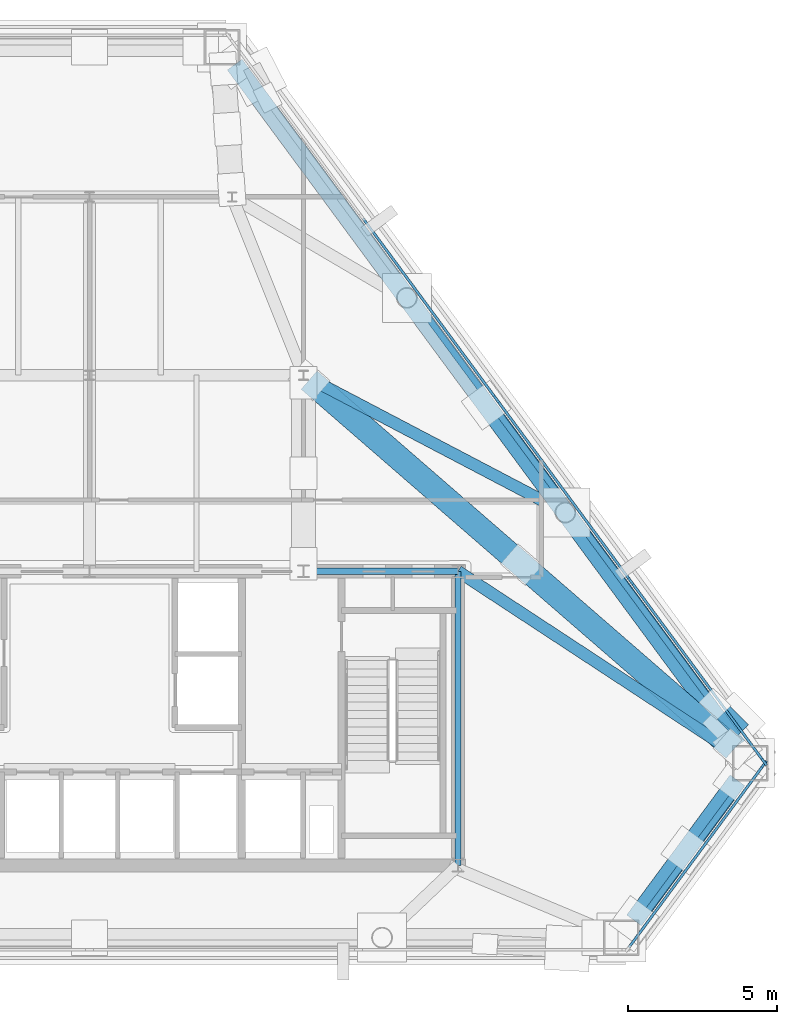
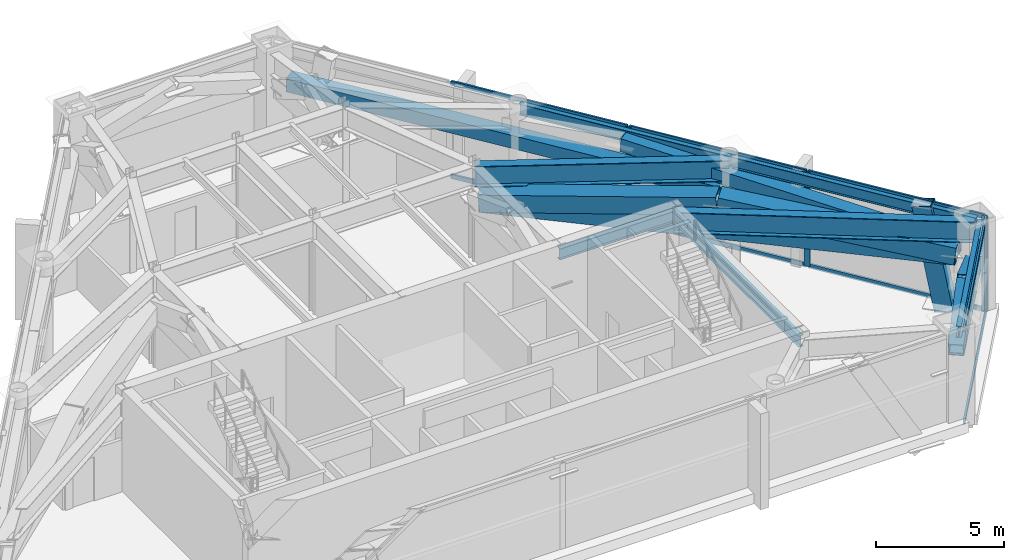
# One storey, part 4 of 10: 21 members, 7 beams, 2 elements without a shape of their own.
"""IFC4 building model written with IfcOpenShell, lengths in metres."""

import ifcopenshell
import ifcopenshell.guid

model = None  # the IFC model being written
_history = None  # IfcOwnerHistory: only IFC2X3 demands one
_inside = {}  # id of a spatial element -> (the spatial element, [elements in it])
_under = {}  # id of a project, library or spatial element -> (it, [spatial elements below it])
_declared = {}  # id of a project -> (the project, [libraries it declares])
_typed = {}  # id of a type object -> (the type object, [elements of that type])
_made_of = {}  # id of a material, layer set ... -> (it, [elements and type objects made of it])


def new_model(schema):
    """Start an empty IFC model of exactly this schema.

    Asked for "IFC4X3", IfcOpenShell would pick the latest addendum, in which some entities
    have other attributes; the version numbers below select the first issue.
    IFC2X3 requires an IfcOwnerHistory on every rooted entity: one is made here for all.
    """
    global model, _history
    if schema == "IFC4X3":
        model = ifcopenshell.file(schema_version=(4, 3, 0, 0))
    else:
        model = ifcopenshell.file(schema=schema)
    _inside.clear()
    _under.clear()
    _declared.clear()
    _typed.clear()
    _made_of.clear()
    _history = None
    if model.schema == "IFC2X3":
        org = make("IfcOrganization", Name="unknown")
        user = make(
            "IfcPersonAndOrganization",
            ThePerson=make("IfcPerson", FamilyName="unknown"),
            TheOrganization=org,
        )
        app = make(
            "IfcApplication",
            ApplicationDeveloper=org,
            Version="unknown",
            ApplicationFullName="unknown",
            ApplicationIdentifier="unknown",
        )
        _history = make(
            "IfcOwnerHistory",
            OwningUser=user,
            OwningApplication=app,
            ChangeAction="ADDED",
            CreationDate=0,
        )
    return model


def make(cls, **values):
    """One entity of the class cls with the attributes given. An attribute that is None is left unset."""
    return model.create_entity(
        cls, **{name: value for name, value in values.items() if value is not None}
    )


def rooted(cls, **values):
    """An entity with a GlobalId (a new one), such as an element, a storey or a relation."""
    return make(cls, GlobalId=ifcopenshell.guid.new(), OwnerHistory=_history, **values)


def si_unit(unit_type, name, prefix=None):
    """IfcSIUnit, for example si_unit("LENGTHUNIT", "METRE", prefix="MILLI")."""
    return make("IfcSIUnit", UnitType=unit_type, Prefix=prefix, Name=name)


def assignment(units):
    """IfcUnitAssignment: the units of a project."""
    return None if units is None else make("IfcUnitAssignment", Units=units)


def point(xyz):
    """IfcCartesianPoint."""
    return None if xyz is None else make("IfcCartesianPoint", Coordinates=xyz)


def direction(xyz):
    """IfcDirection."""
    return None if xyz is None else make("IfcDirection", DirectionRatios=xyz)


def frame(location, z_axis=None, x_axis=None):
    """IfcAxis2Placement3D, a coordinate frame: its origin and axes. An axis left out is left unset."""
    return make(
        "IfcAxis2Placement3D",
        Location=point(location),
        Axis=direction(z_axis),
        RefDirection=direction(x_axis),
    )


def frame_2d(location, x_axis=None):
    """IfcAxis2Placement2D, a coordinate frame in the plane: its origin and x axis."""
    return make(
        "IfcAxis2Placement2D", Location=point(location), RefDirection=direction(x_axis)
    )


def origin():
    """The frame at (0, 0, 0) with its axes left unset."""
    return frame((0.0, 0.0, 0.0))


def origin_2d():
    """The frame at (0, 0) in the plane with its x axis left unset."""
    return frame_2d((0.0, 0.0))


def place(relative_to, where):
    """IfcLocalPlacement: puts the frame where relative to a parent placement (None: the world)."""
    return make(
        "IfcLocalPlacement", PlacementRelTo=relative_to, RelativePlacement=where
    )


def context(
    kind, dimensions, precision=None, world=None, true_north=None, identifier=None
):
    """IfcGeometricRepresentationContext, for example the 3D "Model" context."""
    return make(
        "IfcGeometricRepresentationContext",
        ContextIdentifier=identifier,
        ContextType=kind,
        CoordinateSpaceDimension=dimensions,
        Precision=precision,
        WorldCoordinateSystem=world,
        TrueNorth=true_north,
    )


def subcontext(parent, identifier, kind, view, scale=None):
    """IfcGeometricRepresentationSubContext, for example "Body" below "Model"."""
    return make(
        "IfcGeometricRepresentationSubContext",
        ContextIdentifier=identifier,
        ContextType=kind,
        ParentContext=parent,
        TargetScale=scale,
        TargetView=view,
    )


def project(units=None, contexts=None):
    """IfcProject with its units and contexts."""
    return rooted(
        "IfcProject",
        Name="project",
        RepresentationContexts=contexts,
        UnitsInContext=assignment(units),
    )


def spatial(cls, under=None, at=None, **own):
    """A site, building, storey or space (cls), placed at a placement, below another one or the project."""
    s = rooted(cls, ObjectPlacement=at, **own)
    if under is not None:
        _under.setdefault(under.id(), (under, []))[1].append(s)
    return s


def profile(cls, at=None, kind="AREA", **sizes):
    """A parametric profile (cls). Its sizes go by their IFC names, for example OverallWidth=200.0."""
    return make(cls, ProfileType=kind, Position=at, **sizes)


def rectangle(**sizes):
    """IfcRectangleProfileDef."""
    return profile("IfcRectangleProfileDef", **sizes)


def hollow_rectangle(**sizes):
    """IfcRectangleHollowProfileDef."""
    return profile("IfcRectangleHollowProfileDef", **sizes)


def i_section(**sizes):
    """IfcIShapeProfileDef."""
    return profile("IfcIShapeProfileDef", **sizes)


def extrude(swept, where, along, depth):
    """IfcExtrudedAreaSolid: the profile swept, set in the frame where, extruded along a direction by depth."""
    return make(
        "IfcExtrudedAreaSolid",
        SweptArea=swept,
        Position=where,
        ExtrudedDirection=direction(along),
        Depth=depth,
    )


def shape(context_of_items, identifier, shape_type, items):
    """IfcShapeRepresentation: the items that make up one representation, for example the "Body"."""
    return make(
        "IfcShapeRepresentation",
        ContextOfItems=context_of_items,
        RepresentationIdentifier=identifier,
        RepresentationType=shape_type,
        Items=items,
    )


def material(Name=None, Category=None):
    """IfcMaterial."""
    return make("IfcMaterial", Name=Name, Category=Category)


def layer(
    of_material, thickness, ventilated=None, Name=None, Category=None, Priority=None
):
    """IfcMaterialLayer: one layer of a wall or slab, of a material (None: an air gap)."""
    return make(
        "IfcMaterialLayer",
        Material=of_material,
        LayerThickness=thickness,
        IsVentilated=ventilated,
        Name=Name,
        Category=Category,
        Priority=Priority,
    )


def layer_set(layers, Name=None):
    """IfcMaterialLayerSet."""
    return make("IfcMaterialLayerSet", MaterialLayers=layers, LayerSetName=Name)


def material_profile(
    of_material, cross_section, Name=None, Category=None, Priority=None
):
    """IfcMaterialProfile: a cross section and its material."""
    return make(
        "IfcMaterialProfile",
        Name=Name,
        Material=of_material,
        Profile=cross_section,
        Priority=Priority,
        Category=Category,
    )


def profile_set(profiles, Name=None, composite=None):
    """IfcMaterialProfileSet."""
    return make(
        "IfcMaterialProfileSet",
        Name=Name,
        MaterialProfiles=profiles,
        CompositeProfile=composite,
    )


def made_of(thing, what):
    """Note that an element or type object is made of a material, layer set ...; save() writes the relation."""
    if what is not None:
        _made_of.setdefault(what.id(), (what, []))[1].append(thing)
    return thing


def type_object(cls, material=None, **own):
    """A type object (cls), such as IfcWallType, which elements share."""
    return made_of(rooted(cls, **own), material)


def element(
    cls,
    number,
    at=None,
    inside=None,
    cuts=None,
    type_object=None,
    material=None,
    context=None,
    identifier="Body",
    shape_type=None,
    held_by="IfcProductDefinitionShape",
    body=None,
    shapes=None,
    **own,
):
    """One element of the class cls, such as IfcWall. Its Tag is "e" and its number.

    at: its placement. inside: the storey or other place that contains it. cuts: it is an
    opening in that element (IfcRelVoidsElement). A single representation is given by context,
    identifier, shape_type and body (its items); several are given by shapes. held_by: the class
    of the entity that holds the representations. save() writes the other relations.
    """
    e = rooted(cls, Tag="e%d" % number, ObjectPlacement=at, **own)
    if body is not None:
        shapes = [shape(context, identifier, shape_type, body)]
    if shapes is not None:
        e.Representation = make(held_by, Representations=shapes)
    if inside is not None:
        _inside.setdefault(inside.id(), (inside, []))[1].append(e)
    if cuts is not None:
        rooted(
            "IfcRelVoidsElement", RelatingBuildingElement=cuts, RelatedOpeningElement=e
        )
    if type_object is not None:
        _typed.setdefault(type_object.id(), (type_object, []))[1].append(e)
    return made_of(e, material)


def aggregate(whole, parts):
    """IfcRelAggregates: a whole, such as a stair, and the parts it consists of."""
    return rooted("IfcRelAggregates", RelatingObject=whole, RelatedObjects=parts)


def save(model, path):
    """Write the relations noted so far, then the file.

    IfcRelAggregates (storeys below a building ...), IfcRelContainedInSpatialStructure (elements
    in a storey), IfcRelDefinesByType, IfcRelAssociatesMaterial and IfcRelDeclares: one each for
    every whole, place, type object, material and project.
    """
    for whole, parts in _under.values():
        aggregate(whole, parts)
    for where, things in _inside.values():
        rooted(
            "IfcRelContainedInSpatialStructure",
            RelatedElements=things,
            RelatingStructure=where,
        )
    for kind, things in _typed.values():
        rooted("IfcRelDefinesByType", RelatedObjects=things, RelatingType=kind)
    for what, things in _made_of.values():
        rooted("IfcRelAssociatesMaterial", RelatedObjects=things, RelatingMaterial=what)
    for by, libraries in _declared.values():
        rooted("IfcRelDeclares", RelatingContext=by, RelatedDefinitions=libraries)
    model.write(path)


model = new_model("IFC4")

# Units and contexts
model_context = context("Model", 3, precision=1e-05, world=origin(), true_north=direction((0.0, 1.0)))
body_context = subcontext(model_context, "Body", "Model", "MODEL_VIEW")
ifc_project = project(units=[si_unit("LENGTHUNIT", "METRE"), si_unit("AREAUNIT", "SQUARE_METRE"), si_unit("VOLUMEUNIT", "CUBIC_METRE"), si_unit("PLANEANGLEUNIT", "RADIAN"), si_unit("MASSUNIT", "GRAM", prefix="KILO")], contexts=[model_context])

# Site, building, storey
site_placement = place(None, origin())
site = spatial("IfcSite", under=ifc_project, at=site_placement, CompositionType="ELEMENT")
building_placement = place(site_placement, origin())
building = spatial("IfcBuilding", under=site, at=building_placement, Name="Talgorran Terracotta Tower", CompositionType="ELEMENT")
storey_placement = place(building_placement, frame((0.0, 0.0, 168.89990234375)))
storey = spatial("IfcBuildingStorey", under=building, at=storey_placement, Name="L44", CompositionType="ELEMENT", Elevation=168.89990234375)

# Beams
ifc_material_1 = material(Name="Steel Grade 350 (350L0)", Category="steel")
ifc_material_profile_1 = material_profile(ifc_material_1, i_section(OverallWidth=0.39990234375, OverallDepth=1.0, WebThickness=0.01611328125, FlangeThickness=0.031005859375, at=origin_2d()), Name="1000WB296")
ifc_profile_set_1 = profile_set([ifc_material_profile_1], Name="Steel Grade 350 (350L0)")
beam_type_1 = type_object("IfcBeamType", Name="BM_1000WB296", PredefinedType="BEAM", material=ifc_profile_set_1)
beam_1_placement = place(storey_placement, frame((7.199951171875, 2.39990234375, 4.02001953125), z_axis=(0.885527866822, -0.464586264414, 0.0), x_axis=(0.464586264414, 0.885527866822, 0.0)))
element("IfcBeam", 1, at=beam_1_placement, inside=storey, type_object=beam_type_1, Name="L44 Floor Girder G07", PredefinedType="BEAM", context=body_context, shape_type="SweptSolid", body=[
    extrude(i_section(OverallWidth=0.39990234375, OverallDepth=1.0, WebThickness=0.01611328125, FlangeThickness=0.031005859375, at=origin_2d()), origin(), (0.0, 0.0, 1.0), 9.951416015625),
])
beam_2_placement = place(storey_placement, frame((12.39990234375, -4.199951171875, 4.02001953125), z_axis=(0.836013696093, -0.548708574696, 0.0), x_axis=(0.548708574696, 0.836013696093, 0.0)))
element("IfcBeam", 2, at=beam_2_placement, inside=storey, type_object=beam_type_1, Name="L44 Floor Girder G18", PredefinedType="BEAM", context=body_context, shape_type="SweptSolid", body=[
    extrude(i_section(OverallWidth=0.39990234375, OverallDepth=1.0, WebThickness=0.01611328125, FlangeThickness=0.031005859375, at=origin_2d()), origin(), (0.0, 0.0, 1.0), 11.76318359375),
])
ifc_material_2 = material(Name="Steel S355 (300PLUS)", Category="steel")
ifc_material_profile_2 = material_profile(ifc_material_2, i_section(OverallWidth=0.209228515625, OverallDepth=0.532958984375, WebThickness=0.01025390625, FlangeThickness=0.015625, at=origin_2d()), Name="530UB92.4")
ifc_profile_set_2 = profile_set([ifc_material_profile_2], Name="Steel S355 (300PLUS)")
beam_type_2 = type_object("IfcBeamType", Name="BM_SP_530UB92", PredefinedType="SPANDREL", material=ifc_profile_set_2)
beam_3_placement = place(storey_placement, frame((18.043212890625, -16.636962890625, 4.253662109375), z_axis=(0.593765719161, 0.804637974961, 0.0), x_axis=(-0.804637974961, 0.593765719161, 0.0)))
element("IfcBeam", 3, at=beam_3_placement, inside=storey, type_object=beam_type_2, Name="L44 Perimeter Spandrel Beam MC3-MC4", PredefinedType="SPANDREL", context=body_context, shape_type="SweptSolid", body=[
    extrude(i_section(OverallWidth=0.209228515625, OverallDepth=0.532958984375, WebThickness=0.01025390625, FlangeThickness=0.015625, at=origin_2d()), origin(), (0.0, 0.0, 1.0), 7.302001953125),
])
beam_4_placement = place(storey_placement, frame((22.37890625, -10.547607421875, 4.253662109375), z_axis=(-0.593786218479, 0.804622847516, 0.0), x_axis=(-0.804622847516, -0.593786218479, 0.0)))
element("IfcBeam", 4, at=beam_4_placement, inside=storey, type_object=beam_type_2, Name="L44 Perimeter Spandrel Beam MC4-FC3", PredefinedType="SPANDREL", context=body_context, shape_type="SweptSolid", body=[
    extrude(i_section(OverallWidth=0.209228515625, OverallDepth=0.532958984375, WebThickness=0.01025390625, FlangeThickness=0.015625, at=origin_2d()), origin(), (0.0, 0.0, 1.0), 10.478271484375),
])
beam_5_placement = place(storey_placement, frame((16.156982421875, -2.116455078125, 4.253662109375), z_axis=(-0.593775624387, 0.804630665513, 0.0), x_axis=(-0.804630665513, -0.593775624387, 0.0)))
element("IfcBeam", 5, at=beam_5_placement, inside=storey, type_object=beam_type_2, Name="L44 Perimeter Spandrel Beam FC3-FC4", PredefinedType="SPANDREL", context=body_context, shape_type="SweptSolid", body=[
    extrude(i_section(OverallWidth=0.209228515625, OverallDepth=0.532958984375, WebThickness=0.01025390625, FlangeThickness=0.015625, at=origin_2d()), origin(), (0.0, 0.0, 1.0), 8.9814453125),
])
beam_6_placement = place(storey_placement, frame((12.39990234375, -14.10009765625, 4.253662109375), z_axis=(0.0, 1.0, 0.0), x_axis=(-1.0, 0.0, 0.0)))
element("IfcBeam", 6, at=beam_6_placement, inside=storey, type_object=beam_type_2, Name="L44 Core Frame Beam CFE", PredefinedType="SPANDREL", context=body_context, shape_type="SweptSolid", body=[
    extrude(i_section(OverallWidth=0.209228515625, OverallDepth=0.532958984375, WebThickness=0.01025390625, FlangeThickness=0.015625, at=origin_2d()), origin(), (0.0, 0.0, 1.0), 9.900146484375),
])
beam_7_placement = place(storey_placement, frame((7.199951171875, -4.199951171875, 4.253662109375), z_axis=(1.0, 0.0, 0.0), x_axis=(0.0, 1.0, 0.0)))
element("IfcBeam", 7, at=beam_7_placement, inside=storey, type_object=beam_type_2, Name="L44 Core Frame Beam CFN4", PredefinedType="SPANDREL", context=body_context, shape_type="SweptSolid", body=[
    extrude(i_section(OverallWidth=0.209228515625, OverallDepth=0.532958984375, WebThickness=0.01025390625, FlangeThickness=0.015625, at=origin_2d()), origin(), (0.0, 0.0, 1.0), 5.199951171875),
])

# Members
ifc_material_profile_3 = material_profile(ifc_material_1, hollow_rectangle(XDim=0.6201171875, YDim=0.6201171875, WallThickness=0.034912109375, at=origin_2d()), Name="WBOX620X620X35")
ifc_profile_set_3 = profile_set([ifc_material_profile_3], Name="Steel Grade 350 (350L0)")
member_type_1 = type_object("IfcMemberType", Name="MB_BELT_CHORD", PredefinedType="CHORD", material=ifc_profile_set_3)
member_1_placement = place(storey_placement, frame((18.32568359375, -15.95068359375, 2.920166015625), z_axis=(0.593798376425, 0.804613875195, 0.0), x_axis=(-0.804613875195, 0.593798376425, 0.0)))
element("IfcMember", 8, at=member_1_placement, inside=storey, type_object=member_type_1, Name="L44 Belt Truss Chord BT3", PredefinedType="CHORD", context=body_context, shape_type="SweptSolid", body=[
    extrude(hollow_rectangle(XDim=0.6201171875, YDim=0.6201171875, WallThickness=0.034912109375, at=origin_2d()), origin(), (0.0, 0.0, 1.0), 5.8623046875),
])
member_2_placement = place(storey_placement, frame((21.806640625, -10.0751953125, 2.920166015625), z_axis=(-0.593790632993, 0.804619589725, 0.0), x_axis=(-0.804619589725, -0.593790632993, 0.0)))
element("IfcMember", 9, at=member_2_placement, inside=storey, type_object=member_type_1, Name="L44 Belt Truss Chord BT4", PredefinedType="CHORD", context=body_context, shape_type="SweptSolid", body=[
    extrude(hollow_rectangle(XDim=0.6201171875, YDim=0.6201171875, WallThickness=0.034912109375, at=origin_2d()), origin(), (0.0, 0.0, 1.0), 28.49853515625),
])
ifc_material_profile_4 = material_profile(ifc_material_1, hollow_rectangle(XDim=0.6201171875, YDim=0.6201171875, WallThickness=0.034912109375, at=origin_2d()), Name="WBOX620X620X35")
ifc_profile_set_4 = profile_set([ifc_material_profile_4], Name="Steel Grade 350 (350L0)")
member_type_2 = type_object("IfcMemberType", Name="MB_BELT_DIAG", PredefinedType="BRACE", material=ifc_profile_set_4)
for number, where, z_axis, x_axis, name in (
    (10, (18.32568359375, -15.95068359375, 2.920166015625), (0.553421399322, 0.749901910148, 0.362452589905), (-0.804613875195, 0.593798376425, 0.0), "L44 Belt Truss Diagonal BT3-1"),
    (11, (20.066162109375, -13.59228515625, 4.06005859375), (0.553421399322, 0.749901910148, -0.362452589905), (-0.804613875195, 0.593798376425, 0.0), "L44 Belt Truss Diagonal BT3-2"),
):
    element("IfcMember", number, at=place(storey_placement, frame(where, z_axis=z_axis, x_axis=x_axis)), inside=storey, type_object=member_type_2, Name=name, PredefinedType="BRACE", context=body_context, shape_type="SweptSolid", body=[
        extrude(hollow_rectangle(XDim=0.6201171875, YDim=0.6201171875, WallThickness=0.034912109375, at=origin_2d()), origin(), (0.0, 0.0, 1.0), 3.14501953125),
    ])
member_3_placement = place(storey_placement, frame((21.806640625, -10.0751953125, 2.920166015625), z_axis=(-0.591898232911, 0.802058313589, 0.079742983883), x_axis=(-0.8046206622, -0.593789179728, 0.0)))
element("IfcMember", 12, at=member_3_placement, inside=storey, type_object=member_type_2, Name="L44 Belt Truss Diagonal BT4-1", PredefinedType="BRACE", context=body_context, shape_type="SweptSolid", body=[
    extrude(hollow_rectangle(XDim=0.6201171875, YDim=0.6201171875, WallThickness=0.034912109375, at=origin_2d()), origin(), (0.0, 0.0, 1.0), 14.294677734375),
])
ifc_material_profile_5 = material_profile(ifc_material_1, hollow_rectangle(XDim=0.6201171875, YDim=0.780029296875, WallThickness=0.0419921875, at=origin_2d()), Name="WBOX780X620X42")
ifc_profile_set_5 = profile_set([ifc_material_profile_5], Name="Steel Grade 350 (350L0)")
member_type_3 = type_object("IfcMemberType", Name="MB_MEGA_780", PredefinedType="BRACE", material=ifc_profile_set_5)
member_4_placement = place(storey_placement, frame((21.689208984375, -9.309814453125, -0.33984375), z_axis=(-0.129811026084, 0.128975754531, 0.983114618063), x_axis=(-0.704820821063, -0.709385374952, 0.0)))
element("IfcMember", 13, at=member_4_placement, inside=storey, type_object=member_type_3, Name="L44 Exterior Face Mega-Brace MB-2 (NEL)", PredefinedType="BRACE", context=body_context, shape_type="SweptSolid", body=[
    extrude(hollow_rectangle(XDim=0.6201171875, YDim=0.780029296875, WallThickness=0.0419921875, at=origin_2d()), origin(), (0.0, 0.0, 1.0), 4.968994140625),
])
ifc_material_profile_6 = material_profile(ifc_material_1, hollow_rectangle(XDim=0.820068359375, YDim=0.820068359375, WallThickness=0.044921875, at=origin_2d()), Name="WBOX820X820X45")
ifc_profile_set_6 = profile_set([ifc_material_profile_6], Name="Steel Grade 350 (350L0)")
member_type_4 = type_object("IfcMemberType", Name="MB_OUT_CHORD", PredefinedType="CHORD", material=ifc_profile_set_6)
member_5_placement = place(storey_placement, frame((7.388916015625, 2.236083984375, 2.920166015625), z_axis=(0.755060153862, -0.655655522397, 0.0), x_axis=(0.655655522397, 0.755060153862, 0.0)))
element("IfcMember", 14, at=member_5_placement, inside=storey, type_object=member_type_4, Name="L44 Outrigger Bottom Chord OR4", PredefinedType="CHORD", context=body_context, shape_type="SweptSolid", body=[
    extrude(hollow_rectangle(XDim=0.820068359375, YDim=0.820068359375, WallThickness=0.044921875, at=origin_2d()), origin(), (0.0, 0.0, 1.0), 18.94091796875),
])
ifc_material_profile_7 = material_profile(ifc_material_1, hollow_rectangle(XDim=0.820068359375, YDim=0.820068359375, WallThickness=0.044921875, at=origin_2d()), Name="WBOX820X820X45")
ifc_profile_set_7 = profile_set([ifc_material_profile_7], Name="Steel Grade 350 (350L0)")
member_type_5 = type_object("IfcMemberType", Name="MB_OUT_DIAG", PredefinedType="BRACE", material=ifc_profile_set_7)
member_6_placement = place(storey_placement, frame((7.388916015625, 2.236083984375, 2.920166015625), z_axis=(0.749650127222, -0.650956047856, 0.119502763631), x_axis=(0.655654554931, 0.755060993959, 0.0)))
element("IfcMember", 15, at=member_6_placement, inside=storey, type_object=member_type_5, Name="L44 Outrigger Web Diagonal OR4-1", PredefinedType="BRACE", context=body_context, shape_type="SweptSolid", body=[
    extrude(hollow_rectangle(XDim=0.820068359375, YDim=0.820068359375, WallThickness=0.044921875, at=origin_2d()), origin(), (0.0, 0.0, 1.0), 9.53857421875),
])
member_7_placement = place(storey_placement, frame((14.53955078125, -3.97314453125, 4.06005859375), z_axis=(0.749648848418, -0.650958306953, -0.119498479797), x_axis=(0.655656489827, 0.755059313794, 0.0)))
element("IfcMember", 16, at=member_7_placement, inside=storey, type_object=member_type_5, Name="L44 Outrigger Web Diagonal OR4-2", PredefinedType="BRACE", context=body_context, shape_type="SweptSolid", body=[
    extrude(hollow_rectangle(XDim=0.820068359375, YDim=0.820068359375, WallThickness=0.044921875, at=origin_2d()), origin(), (0.0, 0.0, 1.0), 9.5390625),
])

# Curtain wall, member
ifc_material_3 = material(Name="Anodised Aluminium Louvre", Category="aluminium")
ifc_layer = layer(ifc_material_3, 0.25, Name="CW_SYS4_LOUVRE")
ifc_layer_set = layer_set([ifc_layer], Name="Anodised Aluminium Louvre")
curtain_wall_type = type_object("IfcCurtainWallType", Name="CW_SYS4_LOUVRE", PredefinedType="NOTDEFINED", material=ifc_layer_set)
curtain_wall_1_placement = place(storey_placement, origin())
curtain_wall_1 = element("IfcCurtainWall", 17, at=curtain_wall_1_placement, inside=storey, type_object=curtain_wall_type, Name="CW-L44-F2", PredefinedType="NOTDEFINED")
ifc_material_4 = material(Name="Architectural Aluminium 6063-T6", Category="aluminium")
ifc_material_profile_8 = material_profile(ifc_material_4, rectangle(XDim=0.0849609375, YDim=0.260009765625, at=origin_2d()), Name="CWM85X260")
ifc_profile_set_8 = profile_set([ifc_material_profile_8], Name="Architectural Aluminium 6063-T6")
member_type_6 = type_object("IfcMemberType", Name="MUL_85X260", PredefinedType="MULLION", material=ifc_profile_set_8)
member_8_placement = place(storey_placement, frame((22.7060546875, -10.688720703125, 0.0), z_axis=(0.0, 0.0, 1.0), x_axis=(-0.804619586401, 0.593790637498, 0.0)))
member_8 = element("IfcMember", 18, at=member_8_placement, type_object=member_type_6, Name="CW-L44-2 mullion 2", PredefinedType="MULLION", context=body_context, shape_type="SweptSolid", body=[
    extrude(rectangle(XDim=0.0849609375, YDim=0.260009765625, at=origin_2d()), origin(), (0.0, 0.0, 1.0), 4.52001953125),
])

# Curtain wall, members
curtain_wall_2_placement = place(storey_placement, origin())
curtain_wall_2 = element("IfcCurtainWall", 19, at=curtain_wall_2_placement, inside=storey, type_object=curtain_wall_type, Name="CW-L44-F3", PredefinedType="NOTDEFINED")
member_9_placement = place(storey_placement, frame((22.7060546875, -10.620361328125, 0.0), z_axis=(0.0, 0.0, 1.0), x_axis=(-0.804622144669, -0.593787170886, 0.0)))
member_9 = element("IfcMember", 20, at=member_9_placement, type_object=member_type_6, Name="CW-L44-3 mullion 1", PredefinedType="MULLION", context=body_context, shape_type="SweptSolid", body=[
    extrude(rectangle(XDim=0.0849609375, YDim=0.260009765625, at=origin_2d()), origin(), (0.0, 0.0, 1.0), 4.52001953125),
])
member_10_placement = place(storey_placement, frame((18.213134765625, -4.5322265625, 0.0), z_axis=(0.0, 0.0, 1.0), x_axis=(-0.804622144669, -0.593787170886, 0.0)))
member_10 = element("IfcMember", 21, at=member_10_placement, type_object=member_type_6, Name="CW-L44-3 mullion 2", PredefinedType="MULLION", context=body_context, shape_type="SweptSolid", body=[
    extrude(rectangle(XDim=0.0849609375, YDim=0.260009765625, at=origin_2d()), origin(), (0.0, 0.0, 1.0), 4.52001953125),
])
member_11_placement = place(storey_placement, frame((13.695068359375, 1.590087890625, 0.0), z_axis=(0.0, 0.0, 1.0), x_axis=(-0.804622144669, -0.593787170886, 0.0)))
member_11 = element("IfcMember", 22, at=member_11_placement, type_object=member_type_6, Name="CW-L44-3 mullion 3", PredefinedType="MULLION", context=body_context, shape_type="SweptSolid", body=[
    extrude(rectangle(XDim=0.0849609375, YDim=0.260009765625, at=origin_2d()), origin(), (0.0, 0.0, 1.0), 4.52001953125),
])

# Member
ifc_material_profile_9 = material_profile(ifc_material_4, rectangle(XDim=0.0849609375, YDim=0.2099609375, at=origin_2d()), Name="CWT85X210")
ifc_profile_set_9 = profile_set([ifc_material_profile_9], Name="Architectural Aluminium 6063-T6")
member_type_7 = type_object("IfcMemberType", Name="TRN_85X210", PredefinedType="USERDEFINED", material=ifc_profile_set_9)
member_12_placement = place(storey_placement, frame((18.150634765625, -16.861572265625, 0.04248046875), z_axis=(0.593797055334, 0.804614850147, 0.0), x_axis=(-0.804614850147, 0.593797055334, 0.0)))
member_12 = element("IfcMember", 23, at=member_12_placement, type_object=member_type_7, Name="CW-L44-2 transom 1.1", ObjectType="TRANSOM", PredefinedType="USERDEFINED", context=body_context, shape_type="SweptSolid", body=[
    extrude(rectangle(XDim=0.0849609375, YDim=0.2099609375, at=origin_2d()), origin(), (0.0, 0.0, 1.0), 7.62939453125),
])

member_13_placement = place(storey_placement, frame((18.150634765625, -16.861572265625, 4.4775390625), z_axis=(0.593797055334, 0.804614850147, 0.0), x_axis=(-0.804614850147, 0.593797055334, 0.0)))
member_13 = element("IfcMember", 24, at=member_13_placement, type_object=member_type_7, Name="CW-L44-2 transom 1.2", ObjectType="TRANSOM", PredefinedType="USERDEFINED", context=body_context, shape_type="SweptSolid", body=[
    extrude(rectangle(XDim=0.0849609375, YDim=0.2099609375, at=origin_2d()), origin(), (0.0, 0.0, 1.0), 7.62939453125),
])

aggregate(curtain_wall_1, [member_8, member_12, member_13])

member_14_placement = place(storey_placement, frame((22.680908203125, -10.586181640625, 0.04248046875), z_axis=(-0.59378439478, 0.804624193345, 0.0), x_axis=(-0.804624193345, -0.59378439478, 0.0)))
member_14 = element("IfcMember", 25, at=member_14_placement, type_object=member_type_7, Name="CW-L44-3 transom 1.1", ObjectType="TRANSOM", PredefinedType="USERDEFINED", context=body_context, shape_type="SweptSolid", body=[
    extrude(rectangle(XDim=0.0849609375, YDim=0.2099609375, at=origin_2d()), origin(), (0.0, 0.0, 1.0), 7.4814453125),
])

member_15_placement = place(storey_placement, frame((22.680908203125, -10.586181640625, 4.4775390625), z_axis=(-0.59378439478, 0.804624193345, 0.0), x_axis=(-0.804624193345, -0.59378439478, 0.0)))
member_15 = element("IfcMember", 26, at=member_15_placement, type_object=member_type_7, Name="CW-L44-3 transom 1.2", ObjectType="TRANSOM", PredefinedType="USERDEFINED", context=body_context, shape_type="SweptSolid", body=[
    extrude(rectangle(XDim=0.0849609375, YDim=0.2099609375, at=origin_2d()), origin(), (0.0, 0.0, 1.0), 7.4814453125),
])

member_16_placement = place(storey_placement, frame((18.18798828125, -4.498046875, 0.04248046875), z_axis=(-0.593777775528, 0.804629078079, 0.0), x_axis=(-0.804629078079, -0.593777775528, 0.0)))
member_16 = element("IfcMember", 27, at=member_16_placement, type_object=member_type_7, Name="CW-L44-3 transom 2.1", ObjectType="TRANSOM", PredefinedType="USERDEFINED", context=body_context, shape_type="SweptSolid", body=[
    extrude(rectangle(XDim=0.0849609375, YDim=0.2099609375, at=origin_2d()), origin(), (0.0, 0.0, 1.0), 7.52392578125),
])

member_17_placement = place(storey_placement, frame((18.18798828125, -4.498046875, 4.4775390625), z_axis=(-0.593777775528, 0.804629078079, 0.0), x_axis=(-0.804629078079, -0.593777775528, 0.0)))
member_17 = element("IfcMember", 28, at=member_17_placement, type_object=member_type_7, Name="CW-L44-3 transom 2.2", ObjectType="TRANSOM", PredefinedType="USERDEFINED", context=body_context, shape_type="SweptSolid", body=[
    extrude(rectangle(XDim=0.0849609375, YDim=0.2099609375, at=origin_2d()), origin(), (0.0, 0.0, 1.0), 7.52392578125),
])

member_18_placement = place(storey_placement, frame((13.669921875, 1.624267578125, 0.04248046875), z_axis=(-0.593777775528, 0.804629078079, 0.0), x_axis=(-0.804629078079, -0.593777775528, 0.0)))
member_18 = element("IfcMember", 29, at=member_18_placement, type_object=member_type_7, Name="CW-L44-3 transom 3.1", ObjectType="TRANSOM", PredefinedType="USERDEFINED", context=body_context, shape_type="SweptSolid", body=[
    extrude(rectangle(XDim=0.0849609375, YDim=0.2099609375, at=origin_2d()), origin(), (0.0, 0.0, 1.0), 7.52392578125),
])

member_19_placement = place(storey_placement, frame((13.669921875, 1.624267578125, 4.4775390625), z_axis=(-0.593777775528, 0.804629078079, 0.0), x_axis=(-0.804629078079, -0.593777775528, 0.0)))
member_19 = element("IfcMember", 30, at=member_19_placement, type_object=member_type_7, Name="CW-L44-3 transom 3.2", ObjectType="TRANSOM", PredefinedType="USERDEFINED", context=body_context, shape_type="SweptSolid", body=[
    extrude(rectangle(XDim=0.0849609375, YDim=0.2099609375, at=origin_2d()), origin(), (0.0, 0.0, 1.0), 7.52392578125),
])

aggregate(curtain_wall_2, [member_9, member_10, member_11, member_14, member_15, member_16, member_17, member_18, member_19])

save(model, "model.ifc")
